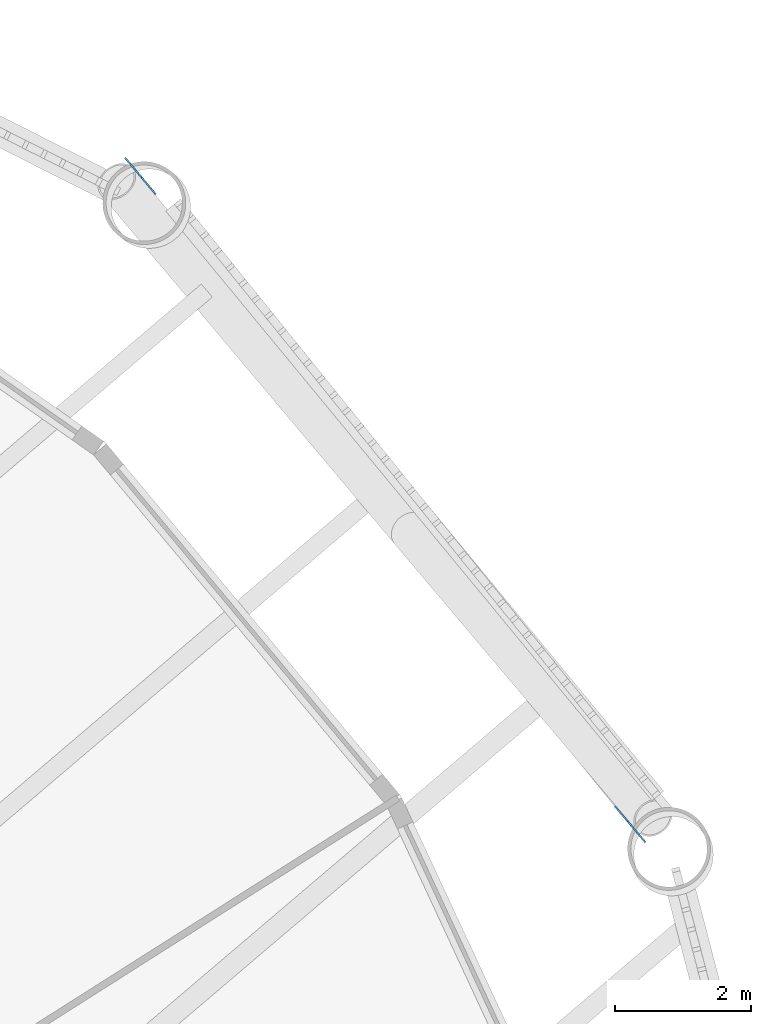
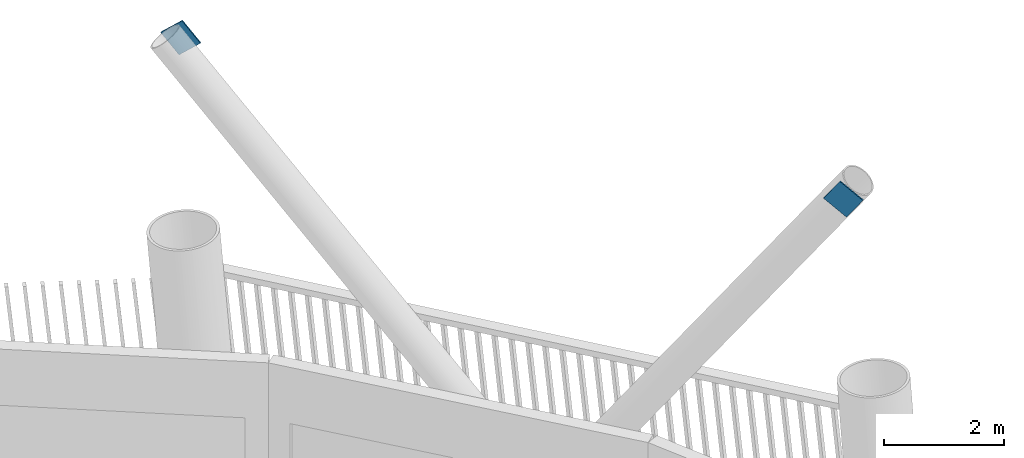
# One storey, part 12 of 21: 2 discrete accessories.
"""IFC4 building model written with IfcOpenShell, lengths in metres."""

from ifc_helpers import new_model, si_unit, direction, frame, origin, origin_2d, place, context, subcontext, project, spatial, rectangle, extrude, material, material_profile, profile_set, type_object, element, save


model = new_model("IFC4")

# Units and contexts
model_context = context("Model", 3, precision=1e-05, world=origin(), true_north=direction((0.0, 1.0)))
body_context = subcontext(model_context, "Body", "Model", "MODEL_VIEW")
ifc_project = project(units=[si_unit("LENGTHUNIT", "METRE"), si_unit("AREAUNIT", "SQUARE_METRE"), si_unit("VOLUMEUNIT", "CUBIC_METRE"), si_unit("PLANEANGLEUNIT", "RADIAN"), si_unit("MASSUNIT", "GRAM", prefix="KILO")], contexts=[model_context])

# Site, building, storey
site_placement = place(None, origin())
site = spatial("IfcSite", under=ifc_project, at=site_placement, CompositionType="ELEMENT")
building_placement = place(site_placement, origin())
building = spatial("IfcBuilding", under=site, at=building_placement, Name="Tarsis Ring Headquarters", CompositionType="ELEMENT")
storey_placement = place(building_placement, frame((0.0, 0.0, 47.800048828125)))
storey = spatial("IfcBuildingStorey", under=building, at=storey_placement, Name="L09", CompositionType="ELEMENT", Elevation=47.800048828125)

# Discrete accessories
ifc_material = material(Name="Structural steel S355", Category="steel")
ifc_material_profile = material_profile(ifc_material, rectangle(XDim=0.02490234375, YDim=0.5, at=origin_2d()), Name="PL 25x500")
ifc_profile_set = profile_set([ifc_material_profile], Name="Structural steel S355")
discrete_accessory_type = type_object("IfcDiscreteAccessoryType", Name="Gusset plate Exo brace 25", PredefinedType="BRACKET", material=ifc_profile_set)
discrete_accessory_1_placement = place(storey_placement, frame((18.012939453125, 23.183349609375, 7.800048828125), z_axis=(0.419895396511, -0.499480221664, -0.757764715565), x_axis=(0.76545422195, 0.643490352763, 0.0)))
element("IfcDiscreteAccessory", 1, at=discrete_accessory_1_placement, inside=storey, type_object=discrete_accessory_type, Name="Gusset plate GP5", PredefinedType="BRACKET", context=body_context, shape_type="SweptSolid", body=[
    extrude(rectangle(XDim=0.02490234375, YDim=0.5, at=origin_2d()), origin(), (0.0, 0.0, 1.0), 0.5),
])
discrete_accessory_2_placement = place(storey_placement, frame((25.419677734375, 13.406982421875, 7.800048828125), z_axis=(-0.373437809699, 0.441779369644, -0.815705333343), x_axis=(-0.763706281909, -0.645563873658, 0.0)))
element("IfcDiscreteAccessory", 2, at=discrete_accessory_2_placement, inside=storey, type_object=discrete_accessory_type, Name="Gusset plate GP5", PredefinedType="BRACKET", context=body_context, shape_type="SweptSolid", body=[
    extrude(rectangle(XDim=0.02490234375, YDim=0.5, at=origin_2d()), origin(), (0.0, 0.0, 1.0), 0.500244140625),
])

save(model, "model.ifc")
